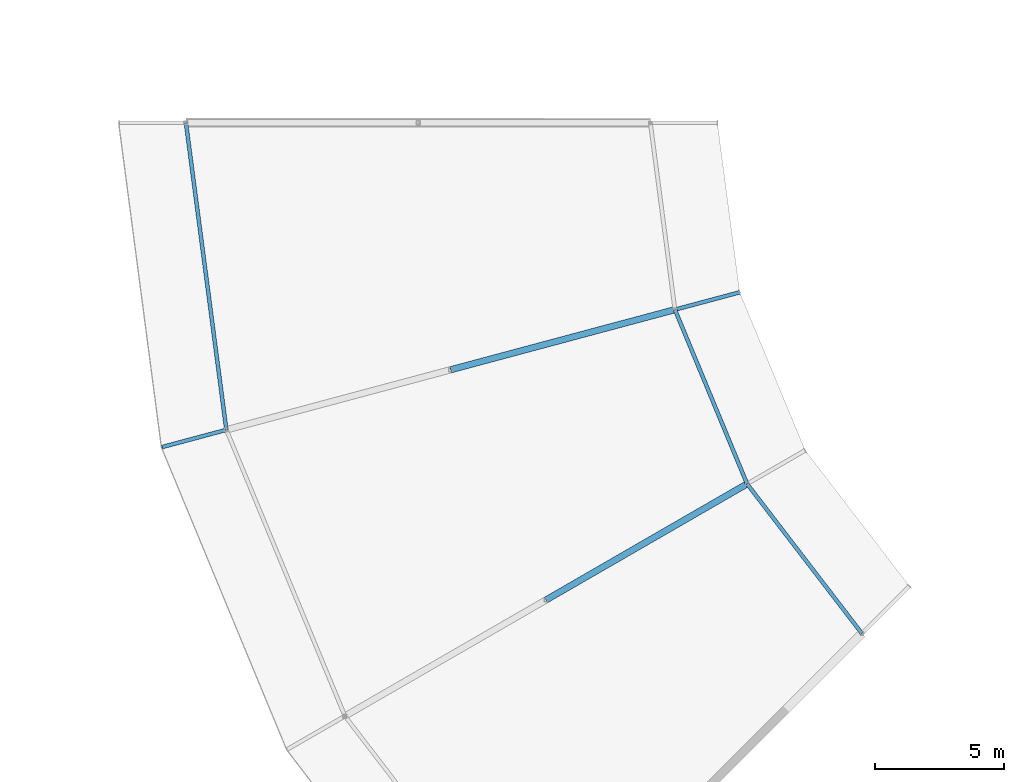
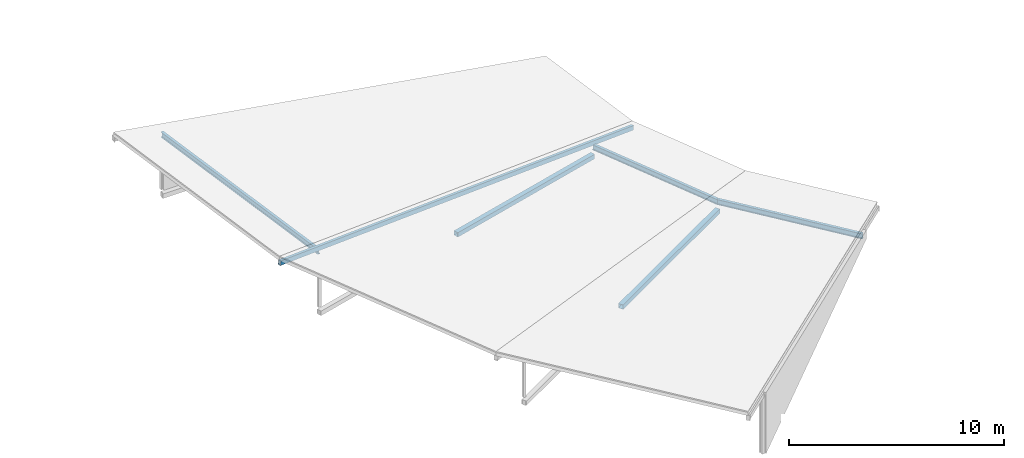
# One storey, part 9 of 70: 3 beams, 3 members.
"""IFC4 building model written with IfcOpenShell, lengths in metres."""

from ifc_helpers import new_model, si_unit, direction, frame, origin, origin_2d, place, context, subcontext, project, spatial, hollow_rectangle, i_section, extrude, material, material_profile, profile_set, type_object, element, save


model = new_model("IFC4")

# Units and contexts
model_context = context("Model", 3, precision=1e-05, world=origin(), true_north=direction((0.0, 1.0)))
body_context = subcontext(model_context, "Body", "Model", "MODEL_VIEW")
ifc_project = project(units=[si_unit("LENGTHUNIT", "METRE"), si_unit("AREAUNIT", "SQUARE_METRE"), si_unit("VOLUMEUNIT", "CUBIC_METRE"), si_unit("PLANEANGLEUNIT", "RADIAN"), si_unit("MASSUNIT", "GRAM", prefix="KILO")], contexts=[model_context])

# Site, building, storey
site_placement = place(None, origin())
site = spatial("IfcSite", under=ifc_project, at=site_placement, CompositionType="ELEMENT")
building_placement = place(site_placement, origin())
building = spatial("IfcBuilding", under=site, at=building_placement, Name="Vondelvale Polytechnic", CompositionType="ELEMENT")
storey_placement = place(building_placement, frame((0.0, 0.0, 22.199951171875)))
storey = spatial("IfcBuildingStorey", under=building, at=storey_placement, Name="L05", CompositionType="ELEMENT", Elevation=22.199951171875)

# Beams
ifc_material_1 = material(Name="Steel 300PLUS (fy = 300 MPa)", Category="steel")
ifc_material_profile_1 = material_profile(ifc_material_1, i_section(OverallWidth=0.14892578125, OverallDepth=0.298095703125, WebThickness=0.005615234375, FlangeThickness=0.008056640625, FilletRadius=0.011474609375, at=origin_2d()), Name="310UB32.0")
ifc_profile_set_1 = profile_set([ifc_material_profile_1], Name="Steel 300PLUS (fy = 300 MPa)")
beam_type = type_object("IfcBeamType", Name="BM-UB310L", PredefinedType="BEAM", material=ifc_profile_set_1)
beam_placement = place(storey_placement, frame((56.0, 72.0, 3.11083984375), z_axis=(0.130522880875, -0.991445297315, 0.0), x_axis=(0.991445297315, 0.130522880875, 0.0)))
element("IfcBeam", 1, at=beam_placement, inside=storey, type_object=beam_type, Name="L05 RE B-25", PredefinedType="BEAM", context=body_context, shape_type="SweptSolid", body=[
    extrude(i_section(OverallWidth=0.14892578125, OverallDepth=0.298095703125, WebThickness=0.005615234375, FlangeThickness=0.008056640625, FilletRadius=0.011474609375, at=origin_2d()), origin(), (0.0, 0.0, 1.0), 12.008544921875),
])
for number, where, z_axis, x_axis, name in (
    (2, (74.9541015625, 64.753173828125, 0.16259765625), (0.382667428841, -0.923886161226, 0.0), (0.923886161226, 0.382667428841, 0.0), "L05 RE B-25"),
    (3, (77.751220703125, 58.0, 0.16259765625), (0.608754744979, -0.793358469083, 0.0), (0.793358469083, 0.608754744979, 0.0), "L05 RE B-25"),
):
    element("IfcBeam", number, at=place(storey_placement, frame(where, z_axis=z_axis, x_axis=x_axis)), inside=storey, type_object=beam_type, Name=name, PredefinedType="BEAM", context=body_context, shape_type="SweptSolid", body=[
        extrude(i_section(OverallWidth=0.14892578125, OverallDepth=0.298095703125, WebThickness=0.005615234375, FlangeThickness=0.008056640625, FilletRadius=0.011474609375, at=origin_2d()), origin(), (0.0, 0.0, 1.0), 7.3095703125),
    ])

# Members
ifc_material_2 = material(Name="Steel C350L0 (fy = 350 MPa)", Category="steel")
ifc_material_profile_2 = material_profile(ifc_material_2, hollow_rectangle(XDim=0.14990234375, YDim=0.25, WallThickness=0.006103515625, at=origin_2d()), Name="250x150x6.0RHS")
ifc_profile_set_2 = profile_set([ifc_material_profile_2], Name="Steel C350L0 (fy = 350 MPa)")
member_type_1 = type_object("IfcMemberType", Name="RAFTER RHS250", PredefinedType="RAFTER", material=ifc_profile_set_2)
member_placement = place(storey_placement, frame((55.055908203125, 59.42138671875, 3.765869140625), z_axis=(0.953223857145, 0.255414977301, -0.161639931762), x_axis=(-0.258818491613, 0.965925974596, 0.0)))
element("IfcMember", 4, at=member_placement, inside=storey, type_object=member_type_1, Name="Ring inward-sloping rafter 13", PredefinedType="RAFTER", context=body_context, shape_type="SweptSolid", body=[
    extrude(hollow_rectangle(XDim=0.14990234375, YDim=0.25, WallThickness=0.006103515625, at=origin_2d()), origin(), (0.0, 0.0, 1.0), 23.50927734375),
])
ifc_material_profile_3 = material_profile(ifc_material_2, hollow_rectangle(XDim=0.25, YDim=0.25, WallThickness=0.009033203125, at=origin_2d()), Name="250x250x9.0SHS")
ifc_profile_set_3 = profile_set([ifc_material_profile_3], Name="Steel C350L0 (fy = 350 MPa)")
member_type_2 = type_object("IfcMemberType", Name="ROOF TRUSS CHORD 250SHS", PredefinedType="CHORD", material=ifc_profile_set_3)
for number, where, z_axis, x_axis, name in (
    (5, (74.9541015625, 64.753173828125, -0.349853515625), (-0.965919958881, -0.258840941576, 0.0), (0.258840941576, -0.965919958881, 0.0), "Ring workshop truss chord 13A"),
    (6, (77.751220703125, 58.0, -0.349853515625), (-0.866024315419, -0.5000018851, 0.0), (0.5000018851, -0.866024315419, 0.0), "Ring workshop truss chord 14A"),
):
    element("IfcMember", number, at=place(storey_placement, frame(where, z_axis=z_axis, x_axis=x_axis)), inside=storey, type_object=member_type_2, Name=name, PredefinedType="CHORD", context=body_context, shape_type="SweptSolid", body=[
        extrude(hollow_rectangle(XDim=0.25, YDim=0.25, WallThickness=0.009033203125, at=origin_2d()), origin(), (0.0, 0.0, 1.0), 9.0),
    ])

save(model, "model.ifc")
